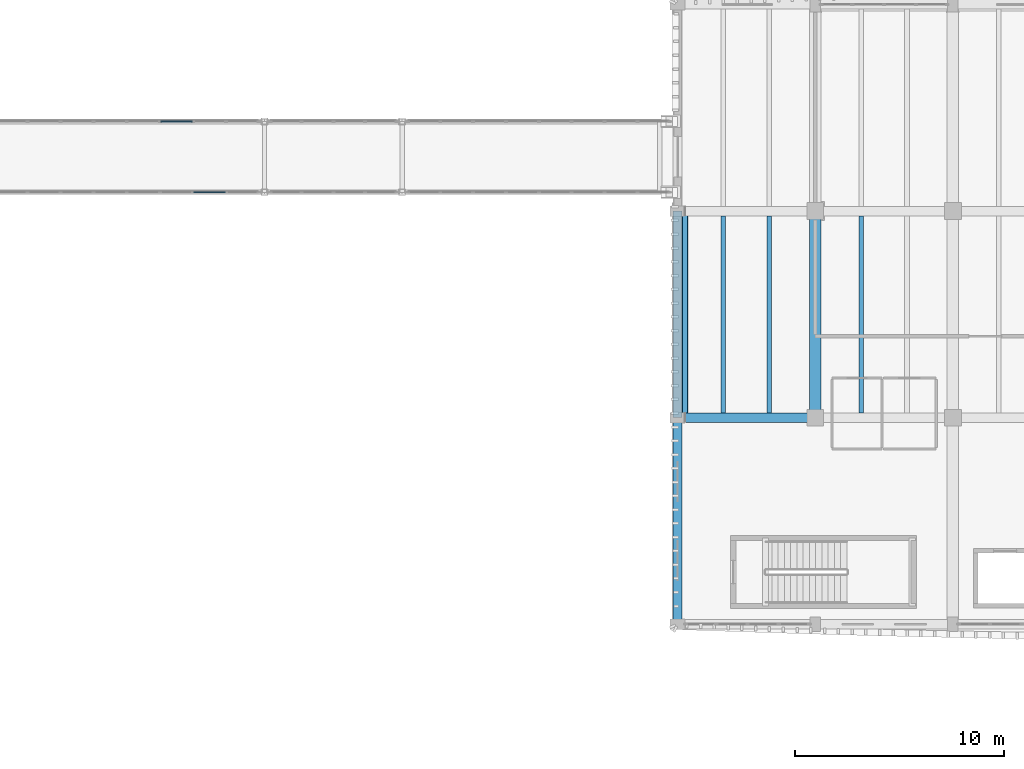
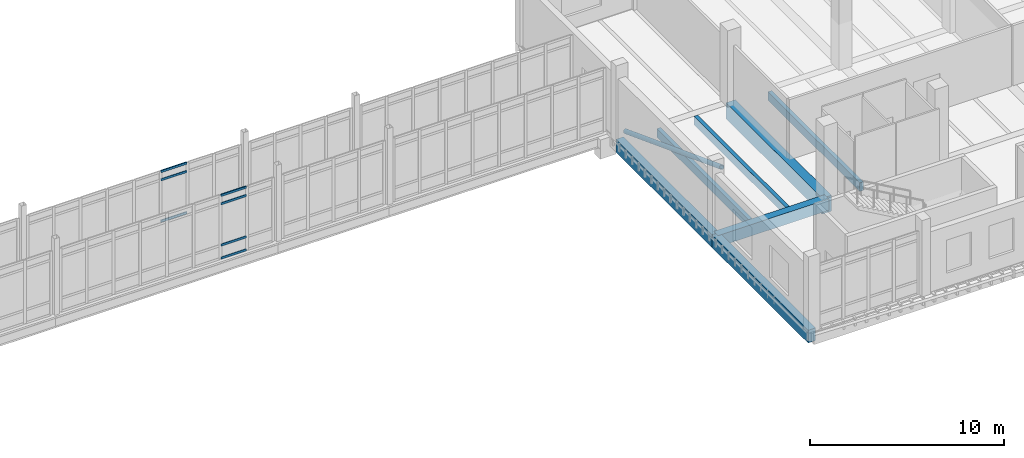
# One storey, part 42 of 125: 8 members, 7 beams, 2 elements without a shape of their own.
"""IFC4 building model written with IfcOpenShell, lengths in metres."""

from ifc_helpers import new_model, si_unit, direction, frame, origin, origin_2d, place, context, subcontext, project, spatial, rectangle, hollow_circle, extrude, material, material_profile, profile_set, type_object, element, aggregate, save


model = new_model("IFC4")

# Units and contexts
model_context = context("Model", 3, precision=1e-05, world=origin(), true_north=direction((0.0, 1.0)))
body_context = subcontext(model_context, "Body", "Model", "MODEL_VIEW")
ifc_project = project(units=[si_unit("LENGTHUNIT", "METRE"), si_unit("AREAUNIT", "SQUARE_METRE"), si_unit("VOLUMEUNIT", "CUBIC_METRE"), si_unit("PLANEANGLEUNIT", "RADIAN"), si_unit("MASSUNIT", "GRAM", prefix="KILO")], contexts=[model_context])

# Site, building, storey
site_placement = place(None, origin())
site = spatial("IfcSite", under=ifc_project, at=site_placement, CompositionType="ELEMENT")
building_placement = place(site_placement, origin())
building = spatial("IfcBuilding", under=site, at=building_placement, Name="Dornvale Research Institute", CompositionType="ELEMENT")
storey_placement = place(building_placement, frame((0.0, 0.0, 5.39990234375)))
storey = spatial("IfcBuildingStorey", under=building, at=storey_placement, Name="L01", CompositionType="ELEMENT", Elevation=5.39990234375)

# Beams
ifc_material_1 = material(Name="Concrete f'c 45 MPa (C35/45)", Category="concrete")
ifc_material_profile_1 = material_profile(ifc_material_1, rectangle(XDim=0.449951171875, YDim=0.715087890625, at=origin_2d()), Name="RC 450x715")
ifc_profile_set_1 = profile_set([ifc_material_profile_1], Name="Concrete f'c 45 MPa (C35/45)")
beam_type_1 = type_object("IfcBeamType", Name="Beam_RC450x715_Lab", PredefinedType="BEAM", material=ifc_profile_set_1)
beam_1_placement = place(storey_placement, frame((118.800048828125, 102.300048828125, -0.357421875), z_axis=(1.0, 0.0, 0.0), x_axis=(0.0, 1.0, 0.0)))
element("IfcBeam", 1, at=beam_1_placement, inside=storey, type_object=beam_type_1, Name="L01 primary girder #363", PredefinedType="BEAM", context=body_context, shape_type="SweptSolid", body=[
    extrude(rectangle(XDim=0.449951171875, YDim=0.715087890625, at=origin_2d()), origin(), (0.0, 0.0, 1.0), 6.599853515625),
])
ifc_material_2 = material(Name="Concrete f'c 45 MPa (C35/45)", Category="concrete")
ifc_material_profile_2 = material_profile(ifc_material_2, rectangle(XDim=0.550048828125, YDim=1.0, at=origin_2d()), Name="RC 550x1000")
ifc_profile_set_2 = profile_set([ifc_material_profile_2], Name="Concrete f'c 45 MPa (C35/45)")
beam_type_2 = type_object("IfcBeamType", Name="Beam_RC550x1000_Girder", PredefinedType="BEAM", material=ifc_profile_set_2)
beam_2_placement = place(storey_placement, frame((125.39990234375, 102.300048828125, -0.5), z_axis=(0.0, 1.0, 0.0), x_axis=(-1.0, 0.0, 0.0)))
element("IfcBeam", 2, at=beam_2_placement, inside=storey, type_object=beam_type_2, Name="L01 transverse girder #393", PredefinedType="BEAM", context=body_context, shape_type="SweptSolid", body=[
    extrude(rectangle(XDim=0.550048828125, YDim=1.0, at=origin_2d()), origin(), (0.0, 0.0, 1.0), 9.89990234375),
])

# Member
ifc_material_3 = material(Name="Steel ASTM A500 Grade C", Category="steel")
ifc_material_profile_3 = material_profile(ifc_material_3, hollow_circle(Radius=0.136474609375, WallThickness=0.01171875, at=origin_2d()), Name="HSS273X12.7")
ifc_profile_set_3 = profile_set([ifc_material_profile_3], Name="Steel ASTM A500 Grade C")
member_type_1 = type_object("IfcMemberType", Name="Brace_HSS273_Round", PredefinedType="BRACE", material=ifc_profile_set_3)
member_1_placement = place(storey_placement, frame((119.159912109375, 112.199951171875, 0.300048828125), z_axis=(0.0, -0.935158287794, 0.354230118385), x_axis=(1.0, 0.0, 0.0)))
element("IfcMember", 3, at=member_1_placement, inside=storey, type_object=member_type_1, Name="L01 seismic diagonal brace #45", PredefinedType="BRACE", context=body_context, shape_type="SweptSolid", body=[
    extrude(hollow_circle(Radius=0.136474609375, WallThickness=0.01171875, at=origin_2d()), origin(), (0.0, 0.0, 1.0), 10.58642578125),
])

# Beams
ifc_material_4 = material(Name="Concrete f'c 45 MPa (C35/45)", Category="concrete")
ifc_material_profile_4 = material_profile(ifc_material_4, rectangle(XDim=0.219970703125, YDim=0.534912109375, at=origin_2d()), Name="RC 220x535")
ifc_profile_set_4 = profile_set([ifc_material_profile_4], Name="Concrete f'c 45 MPa (C35/45)")
beam_type_3 = type_object("IfcBeamType", Name="Joist_RC220x535_Waffle", PredefinedType="JOIST", material=ifc_profile_set_4)
for number, where, z_axis, x_axis, name in (
    (4, (121.0, 102.52490234375, -0.267333984375), (0.0, 1.0, 0.0), (-1.0, 0.0, 0.0), "L01 laboratory waffle joist #176"),
    (5, (123.199951171875, 102.52490234375, -0.267333984375), (0.0, 1.0, 0.0), (-1.0, 0.0, 0.0), "L01 laboratory waffle joist #177"),
    (6, (127.60009765625, 102.52490234375, -0.267333984375), (0.0, 1.0, 0.0), (-1.0, 0.0, 0.0), "L01 laboratory waffle joist #180"),
):
    element("IfcBeam", number, at=place(storey_placement, frame(where, z_axis=z_axis, x_axis=x_axis)), inside=storey, type_object=beam_type_3, Name=name, PredefinedType="JOIST", context=body_context, shape_type="SweptSolid", body=[
        extrude(rectangle(XDim=0.219970703125, YDim=0.534912109375, at=origin_2d()), origin(), (0.0, 0.0, 1.0), 9.4501953125),
    ])
ifc_material_5 = material(Name="Concrete f'c 45 MPa (C35/45)", Category="concrete")
ifc_material_profile_5 = material_profile(ifc_material_5, rectangle(XDim=0.449951171875, YDim=0.800048828125, at=origin_2d()), Name="RC 450x800")
ifc_profile_set_5 = profile_set([ifc_material_profile_5], Name="Concrete f'c 45 MPa (C35/45)")
beam_type_4 = type_object("IfcBeamType", Name="Spandrel_RC450x800_Ext", PredefinedType="SPANDREL", material=ifc_profile_set_5)
beam_3_placement = place(storey_placement, frame((118.800048828125, 92.39990234375, -0.39990234375), z_axis=(0.0, 1.0, 0.0), x_axis=(-1.0, 0.0, 0.0)))
element("IfcBeam", 7, at=beam_3_placement, inside=storey, type_object=beam_type_4, Name="L01 perimeter spandrel #390", PredefinedType="SPANDREL", context=body_context, shape_type="SweptSolid", body=[
    extrude(rectangle(XDim=0.449951171875, YDim=0.800048828125, at=origin_2d()), origin(), (0.0, 0.0, 1.0), 9.900146484375),
])
beam_4_placement = place(storey_placement, frame((118.800048828125, 102.300048828125, -0.39990234375), z_axis=(0.0, 1.0, 0.0), x_axis=(-1.0, 0.0, 0.0)))
element("IfcBeam", 8, at=beam_4_placement, inside=storey, type_object=beam_type_4, Name="L01 perimeter spandrel #391", PredefinedType="SPANDREL", context=body_context, shape_type="SweptSolid", body=[
    extrude(rectangle(XDim=0.449951171875, YDim=0.800048828125, at=origin_2d()), origin(), (0.0, 0.0, 1.0), 9.89990234375),
])

# Curtain wall, members
ifc_material_6 = material(Name="Low-E Argon Double Insulating Glazing Unit", Category="glass")
curtain_wall_type = type_object("IfcCurtainWallType", Name="UnitisedCurtainWall_V2_12700x4000", PredefinedType="USERDEFINED", material=ifc_material_6)
curtain_wall_1_placement = place(storey_placement, origin())
curtain_wall_1 = element("IfcCurtainWall", 9, at=curtain_wall_1_placement, inside=storey, type_object=curtain_wall_type, Name="L01 V2 unitised curtain wall CW-42 #217", ObjectType="UNITISED CURTAIN WALL", PredefinedType="USERDEFINED")
ifc_material_7 = material(Name="Anodized Aluminum AA 6063-T6 Thermally Broken Frame", Category="aluminium")
ifc_material_profile_6 = material_profile(ifc_material_7, rectangle(XDim=0.06494140625, YDim=0.135009765625, at=origin_2d()), Name="ALU TRANSOM 65x135")
ifc_profile_set_6 = profile_set([ifc_material_profile_6], Name="Anodized Aluminum AA 6063-T6 Thermally Broken Frame")
member_type_2 = type_object("IfcMemberType", Name="Transom_CW_65x135", PredefinedType="USERDEFINED", material=ifc_profile_set_6)
member_2_placement = place(storey_placement, frame((94.02001953125, 116.5, 0.85009765625), z_axis=(1.0, 0.0, 0.0), x_axis=(0.0, 1.0, 0.0)))
member_2 = element("IfcMember", 10, at=member_2_placement, type_object=member_type_2, Name="CW-42 transom 6.2", ObjectType="TRANSOM", PredefinedType="USERDEFINED", context=body_context, shape_type="SweptSolid", body=[
    extrude(rectangle(XDim=0.06494140625, YDim=0.135009765625, at=origin_2d()), origin(), (0.0, 0.0, 1.0), 1.5224609375),
])
member_3_placement = place(storey_placement, frame((94.02001953125, 116.5, 3.4501953125), z_axis=(1.0, 0.0, 0.0), x_axis=(0.0, 1.0, 0.0)))
member_3 = element("IfcMember", 11, at=member_3_placement, type_object=member_type_2, Name="CW-42 transom 6.3", ObjectType="TRANSOM", PredefinedType="USERDEFINED", context=body_context, shape_type="SweptSolid", body=[
    extrude(rectangle(XDim=0.06494140625, YDim=0.135009765625, at=origin_2d()), origin(), (0.0, 0.0, 1.0), 1.5224609375),
])
member_4_placement = place(storey_placement, frame((94.02001953125, 116.5, 3.967529296875), z_axis=(1.0, 0.0, 0.0), x_axis=(0.0, 1.0, 0.0)))
member_4 = element("IfcMember", 12, at=member_4_placement, type_object=member_type_2, Name="CW-42 transom 6.4", ObjectType="TRANSOM", PredefinedType="USERDEFINED", context=body_context, shape_type="SweptSolid", body=[
    extrude(rectangle(XDim=0.06494140625, YDim=0.135009765625, at=origin_2d()), origin(), (0.0, 0.0, 1.0), 1.5224609375),
])
aggregate(curtain_wall_1, [member_2, member_3, member_4])

curtain_wall_2_placement = place(storey_placement, origin())
curtain_wall_2 = element("IfcCurtainWall", 13, at=curtain_wall_2_placement, inside=storey, type_object=curtain_wall_type, Name="L01 V2 unitised curtain wall CW-42 #218", ObjectType="UNITISED CURTAIN WALL", PredefinedType="USERDEFINED")
member_5_placement = place(storey_placement, frame((97.1298828125, 113.10009765625, 0.03271484375), z_axis=(-1.0, 0.0, 0.0), x_axis=(0.0, -1.0, 0.0)))
member_5 = element("IfcMember", 14, at=member_5_placement, type_object=member_type_2, Name="CW-42 transom 2.1", ObjectType="TRANSOM", PredefinedType="USERDEFINED", context=body_context, shape_type="SweptSolid", body=[
    extrude(rectangle(XDim=0.06494140625, YDim=0.135009765625, at=origin_2d()), origin(), (0.0, 0.0, 1.0), 1.5224609375),
])
member_6_placement = place(storey_placement, frame((97.1298828125, 113.10009765625, 0.85009765625), z_axis=(-1.0, 0.0, 0.0), x_axis=(0.0, -1.0, 0.0)))
member_6 = element("IfcMember", 15, at=member_6_placement, type_object=member_type_2, Name="CW-42 transom 2.2", ObjectType="TRANSOM", PredefinedType="USERDEFINED", context=body_context, shape_type="SweptSolid", body=[
    extrude(rectangle(XDim=0.06494140625, YDim=0.135009765625, at=origin_2d()), origin(), (0.0, 0.0, 1.0), 1.5224609375),
])
member_7_placement = place(storey_placement, frame((97.1298828125, 113.10009765625, 3.4501953125), z_axis=(-1.0, 0.0, 0.0), x_axis=(0.0, -1.0, 0.0)))
member_7 = element("IfcMember", 16, at=member_7_placement, type_object=member_type_2, Name="CW-42 transom 2.3", ObjectType="TRANSOM", PredefinedType="USERDEFINED", context=body_context, shape_type="SweptSolid", body=[
    extrude(rectangle(XDim=0.06494140625, YDim=0.135009765625, at=origin_2d()), origin(), (0.0, 0.0, 1.0), 1.5224609375),
])
member_8_placement = place(storey_placement, frame((97.1298828125, 113.10009765625, 3.967529296875), z_axis=(-1.0, 0.0, 0.0), x_axis=(0.0, -1.0, 0.0)))
member_8 = element("IfcMember", 17, at=member_8_placement, type_object=member_type_2, Name="CW-42 transom 2.4", ObjectType="TRANSOM", PredefinedType="USERDEFINED", context=body_context, shape_type="SweptSolid", body=[
    extrude(rectangle(XDim=0.06494140625, YDim=0.135009765625, at=origin_2d()), origin(), (0.0, 0.0, 1.0), 1.5224609375),
])
aggregate(curtain_wall_2, [member_5, member_6, member_7, member_8])

save(model, "model.ifc")
